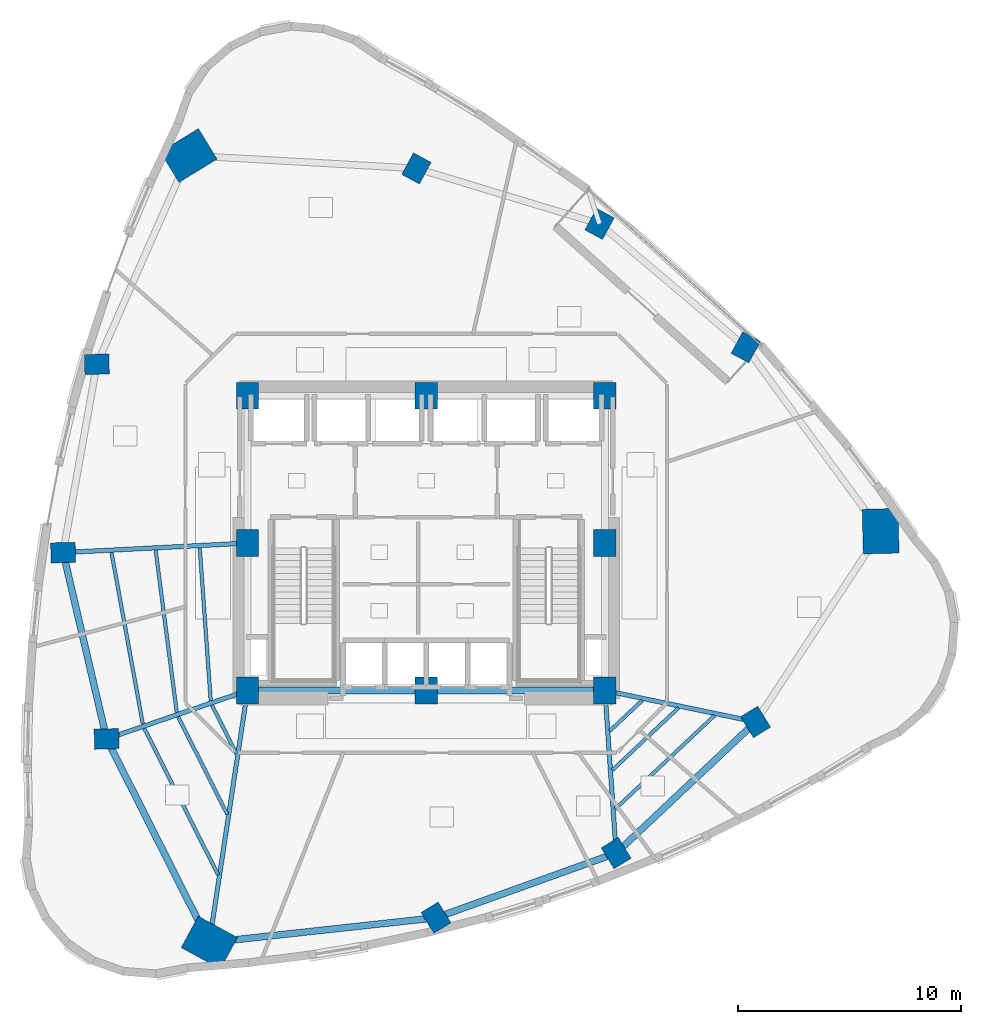
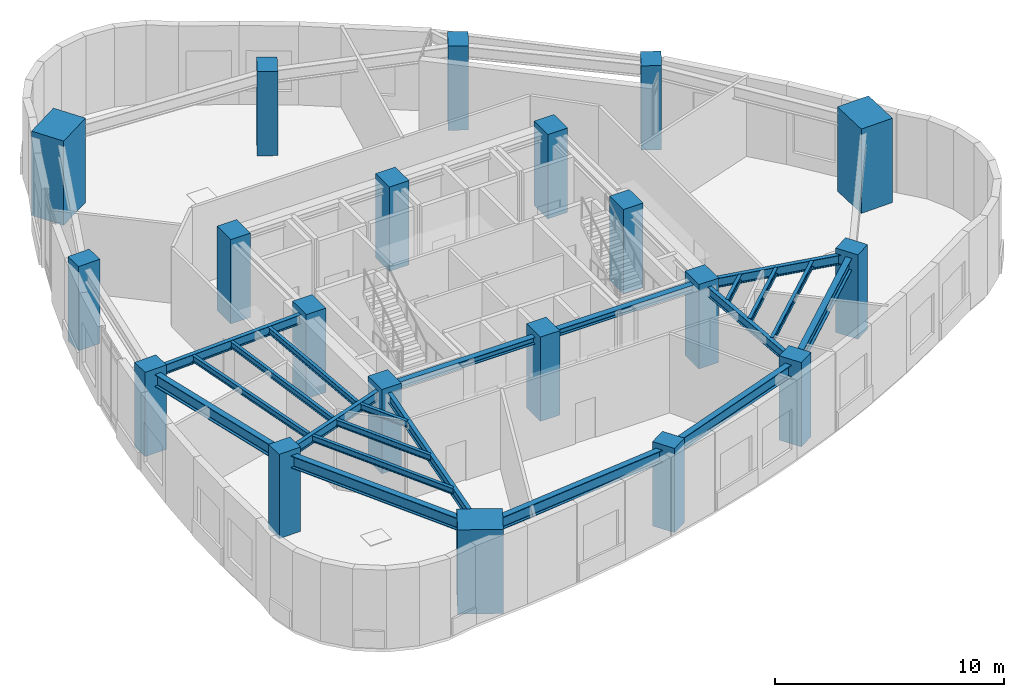
# One storey, part 1 of 19: 21 beams, 20 columns.
"""IFC4 building model written with IfcOpenShell, lengths in metres."""

from ifc_helpers import new_model, si_unit, direction, frame, origin, origin_2d, place, context, subcontext, project, spatial, rectangle, i_section, extrude, material, material_profile, profile_set, type_object, element, save


model = new_model("IFC4")

# Units and contexts
model_context = context("Model", 3, precision=1e-05, world=origin(), true_north=direction((0.0, 1.0)))
body_context = subcontext(model_context, "Body", "Model", "MODEL_VIEW")
ifc_project = project(units=[si_unit("LENGTHUNIT", "METRE"), si_unit("AREAUNIT", "SQUARE_METRE"), si_unit("VOLUMEUNIT", "CUBIC_METRE"), si_unit("PLANEANGLEUNIT", "RADIAN"), si_unit("MASSUNIT", "GRAM", prefix="KILO")], contexts=[model_context])

# Site, building, storey
site_placement = place(None, origin())
site = spatial("IfcSite", under=ifc_project, at=site_placement, CompositionType="ELEMENT")
building_placement = place(site_placement, origin())
building = spatial("IfcBuilding", under=site, at=building_placement, Name="Ndelora Gate Hotel", CompositionType="ELEMENT")
storey_placement = place(building_placement, frame((0.0, 0.0, 88.25)))
storey = spatial("IfcBuildingStorey", under=building, at=storey_placement, Name="L21", CompositionType="ELEMENT", Elevation=88.25)

# Columns
ifc_material_1 = material(Name="Concrete C60/75", Category="concrete")
ifc_material_profile_1 = material_profile(ifc_material_1, rectangle(XDim=1.0, YDim=1.199951171875, at=origin_2d()), Name="RC 1200x1000")
ifc_profile_set_1 = profile_set([ifc_material_profile_1], Name="Concrete C60/75")
column_type_1 = type_object("IfcColumnType", Name="COL-CC-MID", PredefinedType="COLUMN", material=ifc_profile_set_1)
for number, where, z_axis, x_axis, name in (
    (1, (-8.0, -6.60009765625, 0.0), (0.0, 0.0, 1.0), (1.0, 0.0, 0.0), "L21 Core Column CC1"),
    (2, (0.0, -6.60009765625, 0.0), (0.0, 0.0, 1.0), (1.0, 0.0, 0.0), "L21 Core Column CC2"),
    (3, (8.0, -6.60009765625, 0.0), (0.0, 0.0, 1.0), (1.0, 0.0, 0.0), "L21 Core Column CC3"),
    (4, (8.0, 0.0, 0.0), (0.0, 0.0, 1.0), (1.0, 0.0, 0.0), "L21 Core Column CC4"),
    (5, (8.0, 6.60009765625, 0.0), (0.0, 0.0, 1.0), (1.0, 0.0, 0.0), "L21 Core Column CC5"),
    (6, (0.0, 6.60009765625, 0.0), (0.0, 0.0, 1.0), (1.0, 0.0, 0.0), "L21 Core Column CC6"),
    (7, (-8.0, 6.60009765625, 0.0), (0.0, 0.0, 1.0), (1.0, 0.0, 0.0), "L21 Core Column CC7"),
    (8, (-8.0, 0.0, 0.0), (0.0, 0.0, 1.0), (1.0, 0.0, 0.0), "L21 Core Column CC8"),
):
    element("IfcColumn", number, at=place(storey_placement, frame(where, z_axis=z_axis, x_axis=x_axis)), inside=storey, type_object=column_type_1, Name=name, PredefinedType="COLUMN", context=body_context, shape_type="SweptSolid", body=[
        extrude(rectangle(XDim=1.0, YDim=1.199951171875, at=origin_2d()), origin(), (0.0, 0.0, 1.0), 4.5),
    ])
ifc_material_profile_2 = material_profile(ifc_material_1, rectangle(XDim=1.60009765625, YDim=2.0, at=origin_2d()), Name="RC 2000x1600")
ifc_profile_set_2 = profile_set([ifc_material_profile_2], Name="Concrete C60/75")
column_type_2 = type_object("IfcColumnType", Name="COL-MC-Z2", PredefinedType="COLUMN", material=ifc_profile_set_2)
for number, where, z_axis, x_axis, name in (
    (9, (-10.63330078125, 17.351806640625, 0.0), (0.0, 0.0, 1.0), (-0.522498564716, 0.852640164354, 0.0), "L21 Corner Mega-Column R1"),
    (10, (-9.71044921875, -17.884521484375, 0.0), (0.0, 0.0, 1.0), (0.47715876026, 0.878817112662, 0.0), "L21 Corner Mega-Column R5"),
    (11, (20.34375, 0.53271484375, 0.0), (0.0, 0.0, 1.0), (0.999657324976, 0.026176948308, 0.0), "L21 Corner Mega-Column R9"),
):
    element("IfcColumn", number, at=place(storey_placement, frame(where, z_axis=z_axis, x_axis=x_axis)), inside=storey, type_object=column_type_2, Name=name, PredefinedType="COLUMN", context=body_context, shape_type="SweptSolid", body=[
        extrude(rectangle(XDim=1.60009765625, YDim=2.0, at=origin_2d()), origin(), (0.0, 0.0, 1.0), 4.5),
    ])
ifc_material_profile_3 = material_profile(ifc_material_1, rectangle(XDim=0.89990234375, YDim=1.10009765625, at=origin_2d()), Name="RC 1100x900")
ifc_profile_set_3 = profile_set([ifc_material_profile_3], Name="Concrete C60/75")
column_type_3 = type_object("IfcColumnType", Name="COL-PT-Z2", PredefinedType="COLUMN", material=ifc_profile_set_3)
for number, where, z_axis, x_axis, name in (
    (12, (-14.74658203125, 8.006591796875, 0.0), (0.0, 0.0, 1.0), (-0.026176948308, 0.999657324976, 0.0), "L21 Perimeter Tube Column R2"),
    (13, (-16.25537109375, -0.42578125, 0.0), (0.0, 0.0, 1.0), (-0.026176948308, 0.999657324976, 0.0), "L21 Perimeter Tube Column R3"),
    (14, (-14.307373046875, -8.767578125, 0.0), (0.0, 0.0, 1.0), (-0.026176948308, 0.999657324976, 0.0), "L21 Perimeter Tube Column R4"),
    (15, (0.439208984375, -16.7744140625, 0.0), (0.0, 0.0, 1.0), (0.852640164354, 0.522498564716, 0.0), "L21 Perimeter Tube Column R6"),
    (16, (8.50439453125, -13.878173828125, 0.0), (0.0, 0.0, 1.0), (0.852640164354, 0.522498564716, 0.0), "L21 Perimeter Tube Column R7"),
    (17, (14.74658203125, -8.006591796875, 0.0), (0.0, 0.0, 1.0), (0.852640164354, 0.522498564716, 0.0), "L21 Perimeter Tube Column R8"),
    (18, (14.30712890625, 8.767333984375, 0.0), (0.0, 0.0, 1.0), (-0.878817112662, 0.47715876026, 0.0), "L21 Perimeter Tube Column R10"),
    (19, (7.759033203125, 14.290283203125, 0.0), (0.0, 0.0, 1.0), (-0.878817112662, 0.47715876026, 0.0), "L21 Perimeter Tube Column R11"),
    (20, (-0.439208984375, 16.7744140625, 0.0), (0.0, 0.0, 1.0), (-0.878817112662, 0.47715876026, 0.0), "L21 Perimeter Tube Column R12"),
):
    element("IfcColumn", number, at=place(storey_placement, frame(where, z_axis=z_axis, x_axis=x_axis)), inside=storey, type_object=column_type_3, Name=name, PredefinedType="COLUMN", context=body_context, shape_type="SweptSolid", body=[
        extrude(rectangle(XDim=0.89990234375, YDim=1.10009765625, at=origin_2d()), origin(), (0.0, 0.0, 1.0), 4.5),
    ])

# Beams
ifc_material_2 = material(Name="Steel S355", Category="steel")
ifc_material_profile_4 = material_profile(ifc_material_2, i_section(OverallWidth=0.300048828125, OverallDepth=0.360107421875, WebThickness=0.012451171875, FlangeThickness=0.0224609375, FilletRadius=0.027099609375, at=origin_2d()), Name="HEB 360")
ifc_profile_set_4 = profile_set([ifc_material_profile_4], Name="Steel S355")
beam_type_1 = type_object("IfcBeamType", Name="BM-CORE-360", PredefinedType="BEAM", material=ifc_profile_set_4)
for number, where, z_axis, x_axis, name in (
    (21, (-8.0, -6.60009765625, 4.030029296875), (1.0, 0.0, 0.0), (0.0, 1.0, 0.0), "L21 Core Tie Girder CC1-CC2"),
    (22, (0.0, -6.60009765625, 4.030029296875), (1.0, 0.0, 0.0), (0.0, 1.0, 0.0), "L21 Core Tie Girder CC2-CC3"),
):
    element("IfcBeam", number, at=place(storey_placement, frame(where, z_axis=z_axis, x_axis=x_axis)), inside=storey, type_object=beam_type_1, Name=name, PredefinedType="BEAM", context=body_context, shape_type="SweptSolid", body=[
        extrude(i_section(OverallWidth=0.300048828125, OverallDepth=0.360107421875, WebThickness=0.012451171875, FlangeThickness=0.0224609375, FilletRadius=0.027099609375, at=origin_2d()), origin(), (0.0, 0.0, 1.0), 8.0),
    ])
ifc_material_profile_5 = material_profile(ifc_material_2, i_section(OverallWidth=0.159912109375, OverallDepth=0.330078125, WebThickness=0.007568359375, FlangeThickness=0.011474609375, FilletRadius=0.01806640625, at=origin_2d()), Name="IPE 330")
ifc_profile_set_5 = profile_set([ifc_material_profile_5], Name="Steel S355")
beam_type_2 = type_object("IfcBeamType", Name="BM-JST-330", PredefinedType="JOIST", material=ifc_profile_set_5)
beam_1_placement = place(storey_placement, frame((-10.138427734375, -0.220458984375, 4.044921875), z_axis=(0.07162945927, -0.997431311201, 0.0), x_axis=(0.997431311201, 0.07162945927, 0.0)))
element("IfcBeam", 23, at=beam_1_placement, inside=storey, type_object=beam_type_2, Name="L21 Secondary Composite Floor Joist IN-3", PredefinedType="JOIST", context=body_context, shape_type="SweptSolid", body=[
    extrude(i_section(OverallWidth=0.159912109375, OverallDepth=0.330078125, WebThickness=0.007568359375, FlangeThickness=0.011474609375, FilletRadius=0.01806640625, at=origin_2d()), origin(), (0.0, 0.0, 1.0), 6.850830078125),
])
beam_2_placement = place(storey_placement, frame((-12.113525390625, -0.322021484375, 4.044921875), z_axis=(0.12927924943, -0.991608226906, 0.0), x_axis=(0.991608226906, 0.12927924943, 0.0)))
element("IfcBeam", 24, at=beam_2_placement, inside=storey, type_object=beam_type_2, Name="L21 Secondary Composite Floor Joist MID-3", PredefinedType="JOIST", context=body_context, shape_type="SweptSolid", body=[
    extrude(i_section(OverallWidth=0.159912109375, OverallDepth=0.330078125, WebThickness=0.007568359375, FlangeThickness=0.011474609375, FilletRadius=0.01806640625, at=origin_2d()), origin(), (0.0, 0.0, 1.0), 7.31396484375),
])
beam_3_placement = place(storey_placement, frame((-14.089111328125, -0.423095703125, 4.044921875), z_axis=(0.179733770179, -0.983715290039, 0.0), x_axis=(0.983715290039, 0.179733770179, 0.0)))
element("IfcBeam", 25, at=beam_3_placement, inside=storey, type_object=beam_type_2, Name="L21 Secondary Composite Floor Joist OUT-3", PredefinedType="JOIST", context=body_context, shape_type="SweptSolid", body=[
    extrude(i_section(OverallWidth=0.159912109375, OverallDepth=0.330078125, WebThickness=0.007568359375, FlangeThickness=0.011474609375, FilletRadius=0.01806640625, at=origin_2d()), origin(), (0.0, 0.0, 1.0), 7.799560546875),
])
beam_4_placement = place(storey_placement, frame((-9.59033203125, -7.26171875, 4.044921875), z_axis=(0.450139260243, -0.892958367668, 0.0), x_axis=(0.892958367668, 0.450139260243, 0.0)))
element("IfcBeam", 26, at=beam_4_placement, inside=storey, type_object=beam_type_2, Name="L21 Secondary Composite Floor Joist IN-4", PredefinedType="JOIST", context=body_context, shape_type="SweptSolid", body=[
    extrude(i_section(OverallWidth=0.159912109375, OverallDepth=0.330078125, WebThickness=0.007568359375, FlangeThickness=0.011474609375, FilletRadius=0.01806640625, at=origin_2d()), origin(), (0.0, 0.0, 1.0), 2.4345703125),
])
beam_5_placement = place(storey_placement, frame((-11.10400390625, -7.781982421875, 4.044921875), z_axis=(0.450189724408, -0.892932926953, 0.0), x_axis=(0.892932926953, 0.450189724408, 0.0)))
element("IfcBeam", 27, at=beam_5_placement, inside=storey, type_object=beam_type_2, Name="L21 Secondary Composite Floor Joist MID-4", PredefinedType="JOIST", context=body_context, shape_type="SweptSolid", body=[
    extrude(i_section(OverallWidth=0.159912109375, OverallDepth=0.330078125, WebThickness=0.007568359375, FlangeThickness=0.011474609375, FilletRadius=0.01806640625, at=origin_2d()), origin(), (0.0, 0.0, 1.0), 4.885009765625),
])
beam_6_placement = place(storey_placement, frame((-12.617919921875, -8.30224609375, 4.044921875), z_axis=(0.45023300903, -0.892911102843, 0.0), x_axis=(0.892911102843, 0.45023300903, 0.0)))
element("IfcBeam", 28, at=beam_6_placement, inside=storey, type_object=beam_type_2, Name="L21 Secondary Composite Floor Joist OUT-4", PredefinedType="JOIST", context=body_context, shape_type="SweptSolid", body=[
    extrude(i_section(OverallWidth=0.159912109375, OverallDepth=0.330078125, WebThickness=0.007568359375, FlangeThickness=0.011474609375, FilletRadius=0.01806640625, at=origin_2d()), origin(), (0.0, 0.0, 1.0), 7.335693359375),
])
beam_7_placement = place(storey_placement, frame((8.211181640625, -8.4169921875, 4.044921875), z_axis=(0.728414088998, 0.685137150466, 0.0), x_axis=(-0.685137150466, 0.728414088998, 0.0)))
element("IfcBeam", 29, at=beam_7_placement, inside=storey, type_object=beam_type_2, Name="L21 Secondary Composite Floor Joist IN-7", PredefinedType="JOIST", context=body_context, shape_type="SweptSolid", body=[
    extrude(i_section(OverallWidth=0.159912109375, OverallDepth=0.330078125, WebThickness=0.007568359375, FlangeThickness=0.011474609375, FilletRadius=0.01806640625, at=origin_2d()), origin(), (0.0, 0.0, 1.0), 2.00830078125),
])
beam_8_placement = place(storey_placement, frame((8.33251953125, -10.163818359375, 4.044921875), z_axis=(0.728369245526, 0.685184823366, 0.0), x_axis=(-0.685184823366, 0.728369245526, 0.0)))
element("IfcBeam", 30, at=beam_8_placement, inside=storey, type_object=beam_type_2, Name="L21 Secondary Composite Floor Joist MID-7", PredefinedType="JOIST", context=body_context, shape_type="SweptSolid", body=[
    extrude(i_section(OverallWidth=0.159912109375, OverallDepth=0.330078125, WebThickness=0.007568359375, FlangeThickness=0.011474609375, FilletRadius=0.01806640625, at=origin_2d()), origin(), (0.0, 0.0, 1.0), 4.06494140625),
])
beam_9_placement = place(storey_placement, frame((8.45361328125, -11.910400390625, 4.044921875), z_axis=(0.728393161111, 0.68515939959, 0.0), x_axis=(-0.68515939959, 0.728393161111, 0.0)))
element("IfcBeam", 31, at=beam_9_placement, inside=storey, type_object=beam_type_2, Name="L21 Secondary Composite Floor Joist OUT-7", PredefinedType="JOIST", context=body_context, shape_type="SweptSolid", body=[
    extrude(i_section(OverallWidth=0.159912109375, OverallDepth=0.330078125, WebThickness=0.007568359375, FlangeThickness=0.011474609375, FilletRadius=0.01806640625, at=origin_2d()), origin(), (0.0, 0.0, 1.0), 6.121337890625),
])
ifc_material_profile_6 = material_profile(ifc_material_2, i_section(OverallWidth=0.199951171875, OverallDepth=0.5, WebThickness=0.01025390625, FlangeThickness=0.01611328125, FilletRadius=0.02099609375, at=origin_2d()), Name="IPE 500")
ifc_profile_set_6 = profile_set([ifc_material_profile_6], Name="Steel S355")
beam_type_3 = type_object("IfcBeamType", Name="BM-RAD-500", PredefinedType="BEAM", material=ifc_profile_set_6)
beam_10_placement = place(storey_placement, frame((-8.0, 0.0, 3.9599609375), z_axis=(-0.998672591881, -0.051507807424, 0.0), x_axis=(0.051507807424, -0.998672591881, 0.0)))
element("IfcBeam", 32, at=beam_10_placement, inside=storey, type_object=beam_type_3, Name="L21 Radial Floor Girder 3", PredefinedType="BEAM", context=body_context, shape_type="SweptSolid", body=[
    extrude(i_section(OverallWidth=0.199951171875, OverallDepth=0.5, WebThickness=0.01025390625, FlangeThickness=0.01611328125, FilletRadius=0.02099609375, at=origin_2d()), origin(), (0.0, 0.0, 1.0), 8.266357421875),
])
beam_11_placement = place(storey_placement, frame((-8.0, -6.60009765625, 3.9599609375), z_axis=(-0.945717893913, -0.324988715392, 0.0), x_axis=(0.324988715392, -0.945717893913, 0.0)))
element("IfcBeam", 33, at=beam_11_placement, inside=storey, type_object=beam_type_3, Name="L21 Radial Floor Girder 4", PredefinedType="BEAM", context=body_context, shape_type="SweptSolid", body=[
    extrude(i_section(OverallWidth=0.199951171875, OverallDepth=0.5, WebThickness=0.01025390625, FlangeThickness=0.01611328125, FilletRadius=0.02099609375, at=origin_2d()), origin(), (0.0, 0.0, 1.0), 6.66943359375),
])
beam_12_placement = place(storey_placement, frame((-8.0, -6.60009765625, 3.9599609375), z_axis=(-0.149864309615, -0.988706573612, 0.0), x_axis=(0.988706573612, -0.149864309615, 0.0)))
element("IfcBeam", 34, at=beam_12_placement, inside=storey, type_object=beam_type_3, Name="L21 Radial Floor Girder 5", PredefinedType="BEAM", context=body_context, shape_type="SweptSolid", body=[
    extrude(i_section(OverallWidth=0.199951171875, OverallDepth=0.5, WebThickness=0.01025390625, FlangeThickness=0.01611328125, FilletRadius=0.02099609375, at=origin_2d()), origin(), (0.0, 0.0, 1.0), 11.413330078125),
])
beam_13_placement = place(storey_placement, frame((8.0, -6.60009765625, 3.9599609375), z_axis=(0.069137444551, -0.997607144001, 0.0), x_axis=(0.997607144001, 0.069137444551, 0.0)))
element("IfcBeam", 35, at=beam_13_placement, inside=storey, type_object=beam_type_3, Name="L21 Radial Floor Girder 7", PredefinedType="BEAM", context=body_context, shape_type="SweptSolid", body=[
    extrude(i_section(OverallWidth=0.199951171875, OverallDepth=0.5, WebThickness=0.01025390625, FlangeThickness=0.01611328125, FilletRadius=0.02099609375, at=origin_2d()), origin(), (0.0, 0.0, 1.0), 7.295654296875),
])
beam_14_placement = place(storey_placement, frame((8.0, -6.60009765625, 3.9599609375), z_axis=(0.978952706778, -0.204087231083, 0.0), x_axis=(0.204087231083, 0.978952706778, 0.0)))
element("IfcBeam", 36, at=beam_14_placement, inside=storey, type_object=beam_type_3, Name="L21 Radial Floor Girder 8", PredefinedType="BEAM", context=body_context, shape_type="SweptSolid", body=[
    extrude(i_section(OverallWidth=0.199951171875, OverallDepth=0.5, WebThickness=0.01025390625, FlangeThickness=0.01611328125, FilletRadius=0.02099609375, at=origin_2d()), origin(), (0.0, 0.0, 1.0), 6.8916015625),
])
ifc_material_profile_7 = material_profile(ifc_material_2, i_section(OverallWidth=0.300048828125, OverallDepth=0.64990234375, WebThickness=0.01611328125, FlangeThickness=0.031005859375, FilletRadius=0.027099609375, at=origin_2d()), Name="HEB 650")
ifc_profile_set_7 = profile_set([ifc_material_profile_7], Name="Steel S355")
beam_type_4 = type_object("IfcBeamType", Name="BM-RING-650", PredefinedType="SPANDREL", material=ifc_profile_set_7)
beam_15_placement = place(storey_placement, frame((-16.25537109375, -0.42578125, 3.885009765625), z_axis=(0.227404398157, -0.973800410607, 0.0), x_axis=(0.973800410607, 0.227404398157, 0.0)))
element("IfcBeam", 37, at=beam_15_placement, inside=storey, type_object=beam_type_4, Name="L21 Perimeter Spandrel Girder 3", PredefinedType="SPANDREL", context=body_context, shape_type="SweptSolid", body=[
    extrude(i_section(OverallWidth=0.300048828125, OverallDepth=0.64990234375, WebThickness=0.01611328125, FlangeThickness=0.031005859375, FilletRadius=0.027099609375, at=origin_2d()), origin(), (0.0, 0.0, 1.0), 8.566162109375),
])
for number, where, z_axis, x_axis, name in (
    (38, (-14.307373046875, -8.767578125, 3.885009765625), (0.450223868811, -0.892915711561, 0.0), (0.892915711561, 0.450223868811, 0.0), "L21 Perimeter Spandrel Girder 4"),
    (39, (-9.71044921875, -17.884521484375, 3.885009765625), (0.994071812898, 0.108725483685, 0.0), (-0.108725483685, 0.994071812898, 0.0), "L21 Perimeter Spandrel Girder 5"),
):
    element("IfcBeam", number, at=place(storey_placement, frame(where, z_axis=z_axis, x_axis=x_axis)), inside=storey, type_object=beam_type_4, Name=name, PredefinedType="SPANDREL", context=body_context, shape_type="SweptSolid", body=[
        extrude(i_section(OverallWidth=0.300048828125, OverallDepth=0.64990234375, WebThickness=0.01611328125, FlangeThickness=0.031005859375, FilletRadius=0.027099609375, at=origin_2d()), origin(), (0.0, 0.0, 1.0), 10.210205078125),
    ])
beam_16_placement = place(storey_placement, frame((0.439208984375, -16.7744140625, 3.885009765625), z_axis=(0.941155870835, 0.337972819607, 0.0), x_axis=(-0.337972819607, 0.941155870835, 0.0)))
element("IfcBeam", 40, at=beam_16_placement, inside=storey, type_object=beam_type_4, Name="L21 Perimeter Spandrel Girder 6", PredefinedType="SPANDREL", context=body_context, shape_type="SweptSolid", body=[
    extrude(i_section(OverallWidth=0.300048828125, OverallDepth=0.64990234375, WebThickness=0.01611328125, FlangeThickness=0.031005859375, FilletRadius=0.027099609375, at=origin_2d()), origin(), (0.0, 0.0, 1.0), 8.5693359375),
])
beam_17_placement = place(storey_placement, frame((8.50439453125, -13.878173828125, 3.885009765625), z_axis=(0.728399016952, 0.68515317419, 0.0), x_axis=(-0.68515317419, 0.728399016952, 0.0)))
element("IfcBeam", 41, at=beam_17_placement, inside=storey, type_object=beam_type_4, Name="L21 Perimeter Spandrel Girder 7", PredefinedType="SPANDREL", context=body_context, shape_type="SweptSolid", body=[
    extrude(i_section(OverallWidth=0.300048828125, OverallDepth=0.64990234375, WebThickness=0.01611328125, FlangeThickness=0.031005859375, FilletRadius=0.027099609375, at=origin_2d()), origin(), (0.0, 0.0, 1.0), 8.56982421875),
])

save(model, "model.ifc")
